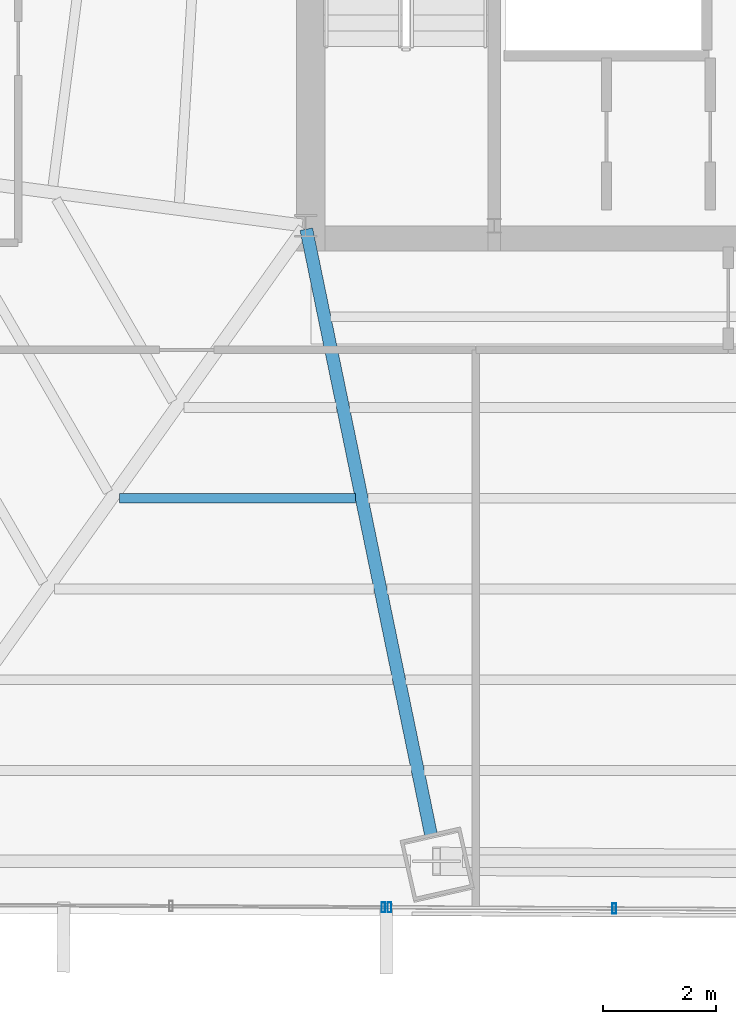
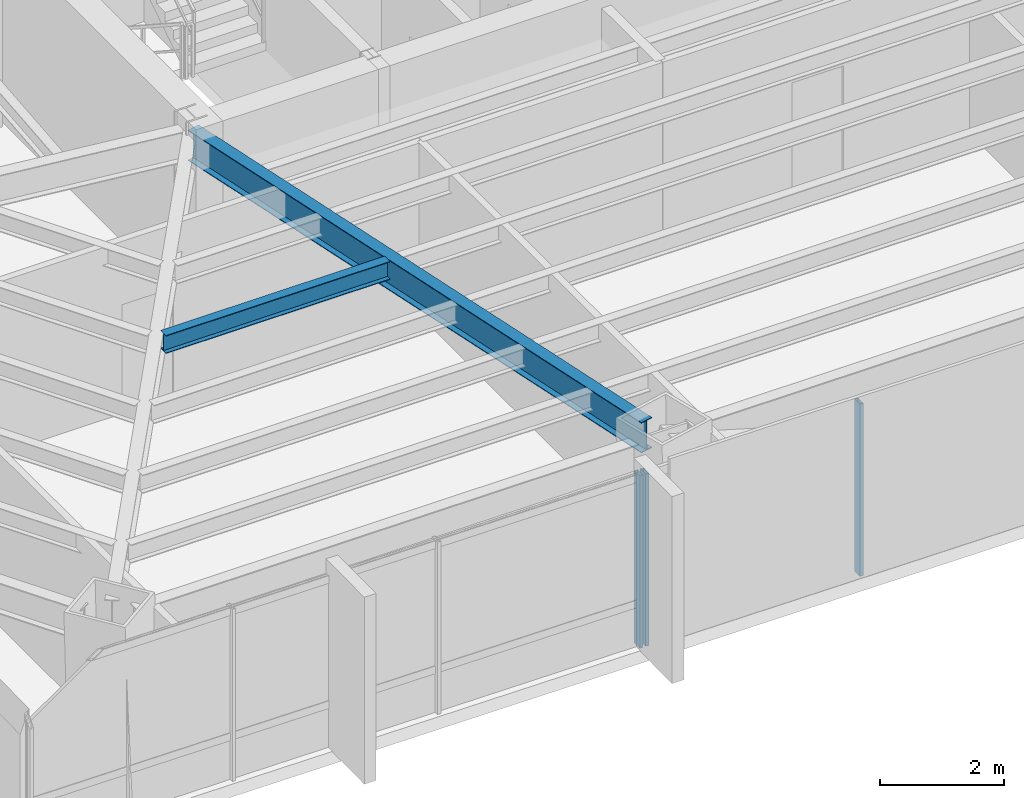
# One storey, part 8 of 35: 3 members, 2 beams, 2 elements without a shape of their own.
"""IFC4 building model written with IfcOpenShell, lengths in metres."""

from ifc_helpers import new_model, si_unit, direction, frame, origin, origin_2d, place, context, subcontext, project, spatial, hollow_rectangle, i_section, extrude, source, transform, mapped, material, material_profile, profile_set, type_object, type_shapes, element, aggregate, save


model = new_model("IFC4")

# Units and contexts
model_context = context("Model", 3, precision=1e-05, world=origin(), true_north=direction((0.0, 1.0)))
body_context = subcontext(model_context, "Body", "Model", "MODEL_VIEW")
ifc_project = project(units=[si_unit("LENGTHUNIT", "METRE"), si_unit("AREAUNIT", "SQUARE_METRE"), si_unit("VOLUMEUNIT", "CUBIC_METRE"), si_unit("PLANEANGLEUNIT", "RADIAN"), si_unit("MASSUNIT", "GRAM", prefix="KILO")], contexts=[model_context])

# Site, building, storey
site_placement = place(None, origin())
site = spatial("IfcSite", under=ifc_project, at=site_placement, CompositionType="ELEMENT")
building_placement = place(site_placement, origin())
building = spatial("IfcBuilding", under=site, at=building_placement, Name="Caelisora Broadcast Tower", CompositionType="ELEMENT")
storey_placement = place(building_placement, frame((0.0, 0.0, 90.800048828125)))
storey = spatial("IfcBuildingStorey", under=building, at=storey_placement, Name="L23", CompositionType="ELEMENT", Elevation=90.800048828125)

# Beams
ifc_material_1 = material(Name="Steel Grade 350 (AS/NZS 3679.1)", Category="steel")
ifc_material_profile_1 = material_profile(ifc_material_1, i_section(OverallWidth=0.22802734375, OverallDepth=0.602294921875, WebThickness=0.010498046875, FlangeThickness=0.014892578125, at=origin_2d()), Name="Steel Grade 350 (AS/NZS 3679.1)")
ifc_profile_set_1 = profile_set([ifc_material_profile_1], Name="Steel Grade 350 (AS/NZS 3679.1)")
beam_type_1 = type_object("IfcBeamType", Name="PG04", PredefinedType="BEAM", material=ifc_profile_set_1)
shared_shape_1 = source(origin(), body_context, "Body", "SweptSolid", [
    extrude(i_section(OverallWidth=0.22802734375, OverallDepth=0.602294921875, WebThickness=0.010498046875, FlangeThickness=0.014892578125, at=origin_2d()), origin(), (0.0, 0.0, 1.0), 11.03271484375),
])
type_shapes(beam_type_1, [shared_shape_1])
beam_1_placement = place(storey_placement, frame((30.51220703125, 17.34130859375, 3.098876953125), z_axis=(0.201725972635, -0.979442000307, 0.0), x_axis=(0.979442000307, 0.201725972635, 0.0)))
element("IfcBeam", 1, at=beam_1_placement, inside=storey, type_object=beam_type_1, Name="L23 beam PG04", PredefinedType="BEAM", context=body_context, shape_type="MappedRepresentation", body=[
    mapped(shared_shape_1, transform((0.0, 0.0, 0.0), scale=1.0)),
])
ifc_material_profile_2 = material_profile(ifc_material_1, i_section(OverallWidth=0.172119140625, OverallDepth=0.358642578125, WebThickness=0.008056640625, FlangeThickness=0.012939453125, at=origin_2d()), Name="Steel Grade 350 (AS/NZS 3679.1)")
ifc_profile_set_2 = profile_set([ifc_material_profile_2], Name="Steel Grade 350 (AS/NZS 3679.1)")
beam_type_2 = type_object("IfcBeamType", Name="SB02", PredefinedType="JOIST", material=ifc_profile_set_2)
shared_shape_2 = source(origin(), body_context, "Body", "SweptSolid", [
    extrude(i_section(OverallWidth=0.172119140625, OverallDepth=0.358642578125, WebThickness=0.008056640625, FlangeThickness=0.012939453125, at=origin_2d()), origin(), (0.0, 0.0, 1.0), 4.1875),
])
type_shapes(beam_type_2, [shared_shape_2])
beam_2_placement = place(storey_placement, frame((27.1943359375, 12.5673828125, 3.220703125), z_axis=(1.0, 0.0, 0.0), x_axis=(0.0, 1.0, 0.0)))
element("IfcBeam", 2, at=beam_2_placement, inside=storey, type_object=beam_type_2, Name="L23 beam SB02", PredefinedType="JOIST", context=body_context, shape_type="MappedRepresentation", body=[
    mapped(shared_shape_2, transform((0.0, 0.0, 0.0), scale=1.0)),
])

# Curtain wall, members
ifc_material_2 = material(Name="Unitised Aluminium Insulated Shadow-Box Spandrel Curtain Wall", Category="aluminium")
curtain_wall_type_1 = type_object("IfcCurtainWallType", Name="CW-SP1", PredefinedType="NOTDEFINED", material=ifc_material_2)
curtain_wall_1_placement = place(storey_placement, origin())
curtain_wall_1 = element("IfcCurtainWall", 3, at=curtain_wall_1_placement, inside=storey, type_object=curtain_wall_type_1, Name="L23 curtain wall CW-SP1", PredefinedType="NOTDEFINED")
ifc_material_3 = material(Name="Aluminium 6063-T6 Anodised Terracotta Bronze", Category="aluminium")
ifc_material_profile_3 = material_profile(ifc_material_3, hollow_rectangle(XDim=0.06494140625, YDim=0.179931640625, WallThickness=0.00341796875, at=origin_2d()), Name="Aluminium 6063-T6 Anodised Terracotta Bronze")
ifc_profile_set_3 = profile_set([ifc_material_profile_3], Name="Aluminium 6063-T6 Anodised Terracotta Bronze")
member_type = type_object("IfcMemberType", Name="CWM-02", PredefinedType="MULLION", material=ifc_profile_set_3)
shared_shape_3 = source(origin(), body_context, "Body", "SweptSolid", [
    extrude(hollow_rectangle(XDim=0.06494140625, YDim=0.179931640625, WallThickness=0.00341796875, at=origin_2d()), origin(), (0.0, 0.0, 1.0), 3.39990234375),
])
type_shapes(member_type, [shared_shape_3])
member_1_placement = place(storey_placement, frame((35.97705078125, 5.284912109375, 0.0), z_axis=(0.0, 0.0, 1.0), x_axis=(1.0, 0.0, 0.0)))
member_1 = element("IfcMember", 4, at=member_1_placement, type_object=member_type, Name="L23-CW-B06 mullion #2", PredefinedType="MULLION", context=body_context, shape_type="MappedRepresentation", body=[
    mapped(shared_shape_3, transform((0.0, 0.0, 0.0), scale=1.0)),
])
member_2_placement = place(storey_placement, frame((31.98974609375, 5.30712890625, 0.0), z_axis=(0.0, 0.0, 1.0), x_axis=(1.0, 0.0, 0.0)))
member_2 = element("IfcMember", 5, at=member_2_placement, type_object=member_type, Name="L23-CW-B06 mullion #3", PredefinedType="MULLION", context=body_context, shape_type="MappedRepresentation", body=[
    mapped(shared_shape_3, transform((0.0, 0.0, 0.0), scale=1.0)),
])
aggregate(curtain_wall_1, [member_1, member_2])

# Curtain wall, member
ifc_material_4 = material(Name="Unitised Aluminium and Low-E Glass Curtain Wall", Category="glass")
curtain_wall_type_2 = type_object("IfcCurtainWallType", Name="CW-Z2", PredefinedType="NOTDEFINED", material=ifc_material_4)
curtain_wall_2_placement = place(storey_placement, origin())
curtain_wall_2 = element("IfcCurtainWall", 6, at=curtain_wall_2_placement, inside=storey, type_object=curtain_wall_type_2, Name="L23 curtain wall CW-Z2", PredefinedType="NOTDEFINED")
member_3_placement = place(storey_placement, frame((31.879638671875, 5.3076171875, 0.0), z_axis=(0.0, 0.0, 1.0), x_axis=(1.0, 0.0, 0.0)))
member_3 = element("IfcMember", 7, at=member_3_placement, type_object=member_type, Name="L23-CW-B07 mullion #0", PredefinedType="MULLION", context=body_context, shape_type="MappedRepresentation", body=[
    mapped(shared_shape_3, transform((0.0, 0.0, 0.0), scale=1.0)),
])
aggregate(curtain_wall_2, [member_3])

save(model, "model.ifc")
